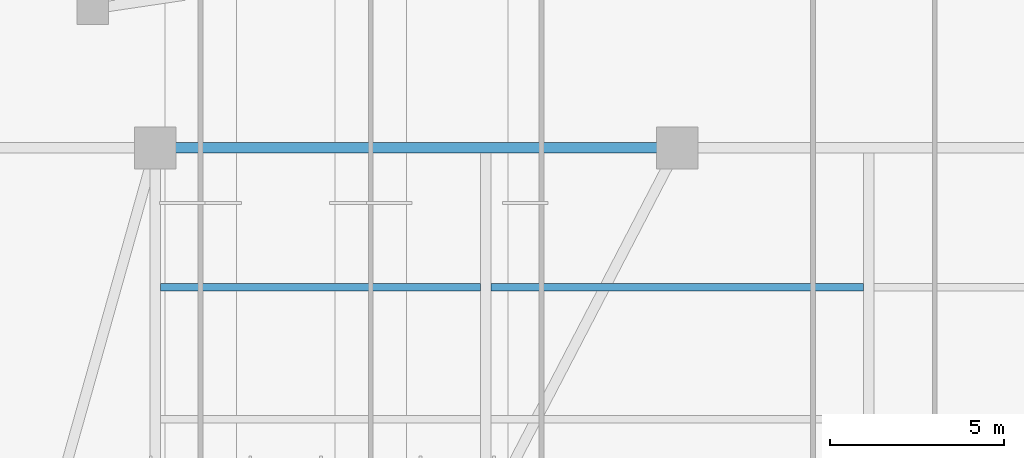
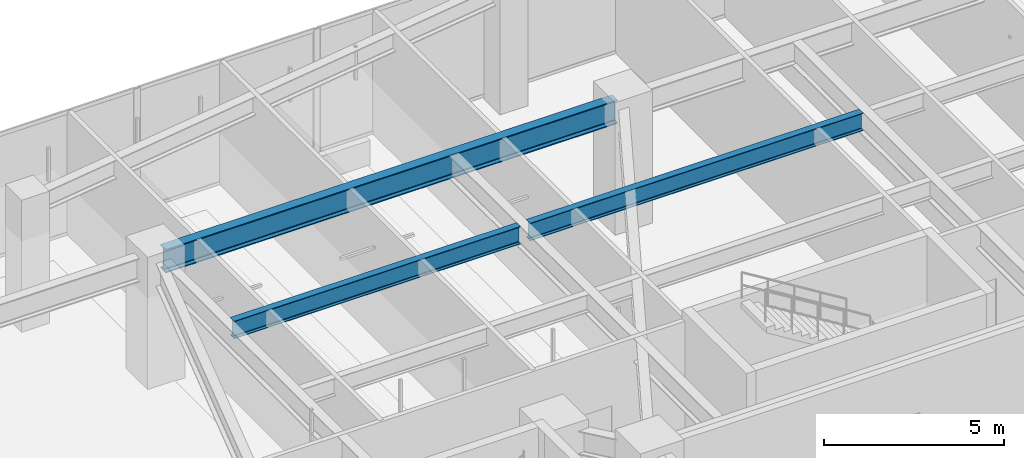
# One storey, part 11 of 27: 3 beams.
"""IFC4 building model written with IfcOpenShell, lengths in metres."""

from ifc_helpers import new_model, si_unit, direction, frame, origin, origin_2d, place, context, subcontext, project, spatial, i_section, extrude, material, material_profile, profile_set, type_object, element, save


model = new_model("IFC4")

# Units and contexts
model_context = context("Model", 3, precision=1e-05, world=origin(), true_north=direction((0.0, 1.0)))
body_context = subcontext(model_context, "Body", "Model", "MODEL_VIEW")
ifc_project = project(units=[si_unit("LENGTHUNIT", "METRE"), si_unit("AREAUNIT", "SQUARE_METRE"), si_unit("VOLUMEUNIT", "CUBIC_METRE"), si_unit("PLANEANGLEUNIT", "RADIAN"), si_unit("MASSUNIT", "GRAM", prefix="KILO")], contexts=[model_context])

# Site, building, storey
site_placement = place(None, origin())
site = spatial("IfcSite", under=ifc_project, at=site_placement, CompositionType="ELEMENT")
building_placement = place(site_placement, origin())
building = spatial("IfcBuilding", under=site, at=building_placement, Name="Tarnavaz Court Tower", CompositionType="ELEMENT")
storey_placement = place(building_placement, frame((0.0, 0.0, 9.89990234375)))
storey = spatial("IfcBuildingStorey", under=building, at=storey_placement, Name="L02", CompositionType="ELEMENT", Elevation=9.89990234375)

# Beams
ifc_material = material(Name="Steel S355", Category="steel")
ifc_material_profile_1 = material_profile(ifc_material, i_section(OverallWidth=0.300048828125, OverallDepth=0.800048828125, WebThickness=0.017578125, FlangeThickness=0.032958984375, FilletRadius=0.030029296875, at=origin_2d()), Name="HEB 800")
ifc_profile_set_1 = profile_set([ifc_material_profile_1], Name="Steel S355")
beam_type_1 = type_object("IfcBeamType", Name="BM-G-HEB800", PredefinedType="USERDEFINED", material=ifc_profile_set_1)
beam_1_placement = place(storey_placement, frame((-14.75, 22.800048828125, 3.800048828125), z_axis=(1.0, 0.0, 0.0), x_axis=(0.0, 1.0, 0.0)))
element("IfcBeam", 1, at=beam_1_placement, inside=storey, type_object=beam_type_1, Name="L02 Beam PM-PM-N1-PM-N2", ObjectType="GIRDER", PredefinedType="USERDEFINED", context=body_context, shape_type="SweptSolid", body=[
    extrude(i_section(OverallWidth=0.300048828125, OverallDepth=0.800048828125, WebThickness=0.017578125, FlangeThickness=0.032958984375, FilletRadius=0.030029296875, at=origin_2d()), origin(), (0.0, 0.0, 1.0), 14.5),
])
ifc_material_profile_2 = material_profile(ifc_material, i_section(OverallWidth=0.219970703125, OverallDepth=0.60009765625, WebThickness=0.011962890625, FlangeThickness=0.01904296875, FilletRadius=0.02392578125, at=origin_2d()), Name="IPE 600")
ifc_profile_set_2 = profile_set([ifc_material_profile_2], Name="Steel S355")
beam_type_2 = type_object("IfcBeamType", Name="BM-J-IPE600", PredefinedType="JOIST", material=ifc_profile_set_2)
beam_2_placement = place(storey_placement, frame((-14.85009765625, 18.800048828125, 3.900146484375), z_axis=(1.0, 0.0, 0.0), x_axis=(0.0, 1.0, 0.0)))
element("IfcBeam", 2, at=beam_2_placement, inside=storey, type_object=beam_type_2, Name="L02 Beam PJN-2-1", PredefinedType="JOIST", context=body_context, shape_type="SweptSolid", body=[
    extrude(i_section(OverallWidth=0.219970703125, OverallDepth=0.60009765625, WebThickness=0.011962890625, FlangeThickness=0.01904296875, FilletRadius=0.02392578125, at=origin_2d()), origin(), (0.0, 0.0, 1.0), 9.2001953125),
])
beam_3_placement = place(storey_placement, frame((-5.35009765625, 18.800048828125, 3.900146484375), z_axis=(1.0, 0.0, 0.0), x_axis=(0.0, 1.0, 0.0)))
element("IfcBeam", 3, at=beam_3_placement, inside=storey, type_object=beam_type_2, Name="L02 Beam PJN-2-2", PredefinedType="JOIST", context=body_context, shape_type="SweptSolid", body=[
    extrude(i_section(OverallWidth=0.219970703125, OverallDepth=0.60009765625, WebThickness=0.011962890625, FlangeThickness=0.01904296875, FilletRadius=0.02392578125, at=origin_2d()), origin(), (0.0, 0.0, 1.0), 10.7001953125),
])

save(model, "model.ifc")
